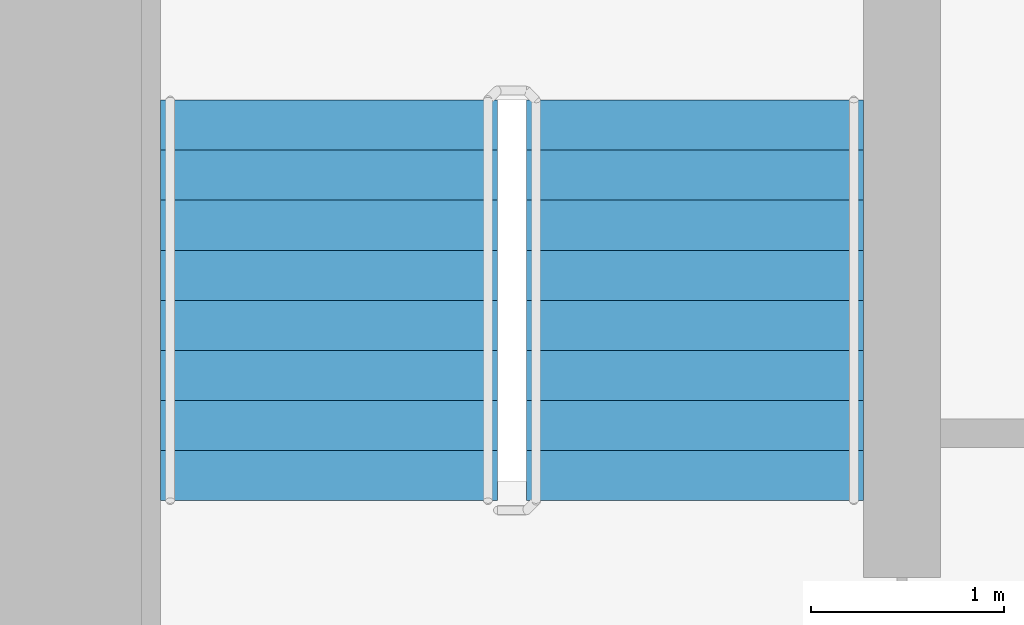
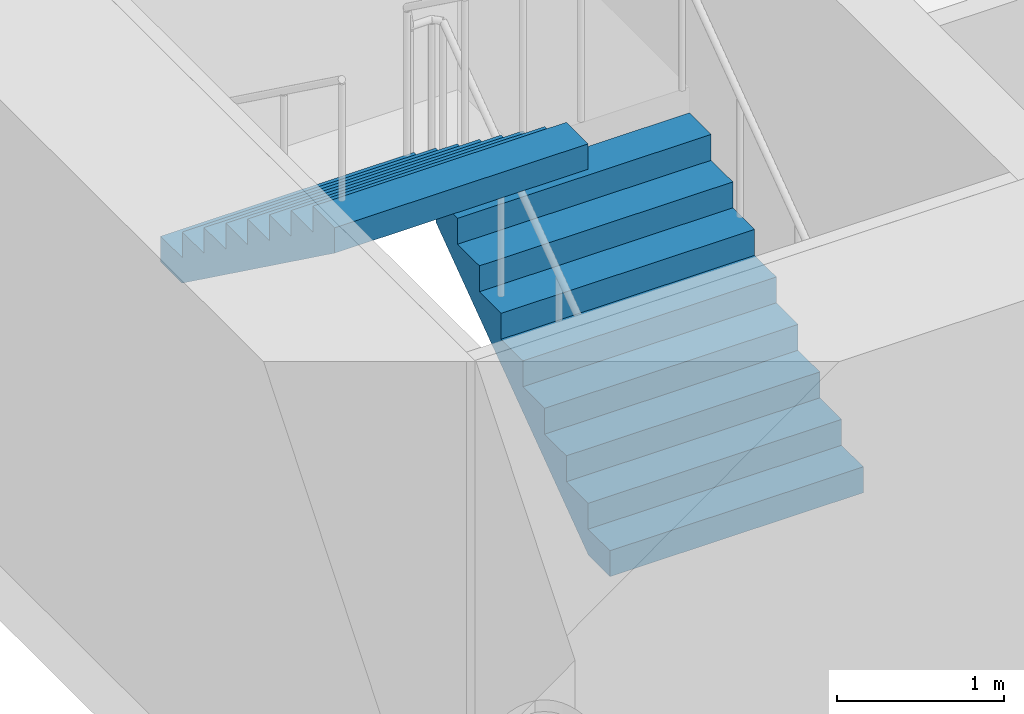
# One storey, part 20 of 22: 2 stair flights, 1 element without a shape of its own.
"""IFC4 building model written with IfcOpenShell, lengths in metres."""

import ifcopenshell
import ifcopenshell.guid

model = None  # the IFC model being written
_history = None  # IfcOwnerHistory: only IFC2X3 demands one
_inside = {}  # id of a spatial element -> (the spatial element, [elements in it])
_under = {}  # id of a project, library or spatial element -> (it, [spatial elements below it])
_declared = {}  # id of a project -> (the project, [libraries it declares])
_typed = {}  # id of a type object -> (the type object, [elements of that type])
_made_of = {}  # id of a material, layer set ... -> (it, [elements and type objects made of it])


def new_model(schema):
    """Start an empty IFC model of exactly this schema.

    Asked for "IFC4X3", IfcOpenShell would pick the latest addendum, in which some entities
    have other attributes; the version numbers below select the first issue.
    IFC2X3 requires an IfcOwnerHistory on every rooted entity: one is made here for all.
    """
    global model, _history
    if schema == "IFC4X3":
        model = ifcopenshell.file(schema_version=(4, 3, 0, 0))
    else:
        model = ifcopenshell.file(schema=schema)
    _inside.clear()
    _under.clear()
    _declared.clear()
    _typed.clear()
    _made_of.clear()
    _history = None
    if model.schema == "IFC2X3":
        org = make("IfcOrganization", Name="unknown")
        user = make(
            "IfcPersonAndOrganization",
            ThePerson=make("IfcPerson", FamilyName="unknown"),
            TheOrganization=org,
        )
        app = make(
            "IfcApplication",
            ApplicationDeveloper=org,
            Version="unknown",
            ApplicationFullName="unknown",
            ApplicationIdentifier="unknown",
        )
        _history = make(
            "IfcOwnerHistory",
            OwningUser=user,
            OwningApplication=app,
            ChangeAction="ADDED",
            CreationDate=0,
        )
    return model


def make(cls, **values):
    """One entity of the class cls with the attributes given. An attribute that is None is left unset."""
    return model.create_entity(
        cls, **{name: value for name, value in values.items() if value is not None}
    )


def rooted(cls, **values):
    """An entity with a GlobalId (a new one), such as an element, a storey or a relation."""
    return make(cls, GlobalId=ifcopenshell.guid.new(), OwnerHistory=_history, **values)


def si_unit(unit_type, name, prefix=None):
    """IfcSIUnit, for example si_unit("LENGTHUNIT", "METRE", prefix="MILLI")."""
    return make("IfcSIUnit", UnitType=unit_type, Prefix=prefix, Name=name)


def assignment(units):
    """IfcUnitAssignment: the units of a project."""
    return None if units is None else make("IfcUnitAssignment", Units=units)


def point(xyz):
    """IfcCartesianPoint."""
    return None if xyz is None else make("IfcCartesianPoint", Coordinates=xyz)


def direction(xyz):
    """IfcDirection."""
    return None if xyz is None else make("IfcDirection", DirectionRatios=xyz)


def frame(location, z_axis=None, x_axis=None):
    """IfcAxis2Placement3D, a coordinate frame: its origin and axes. An axis left out is left unset."""
    return make(
        "IfcAxis2Placement3D",
        Location=point(location),
        Axis=direction(z_axis),
        RefDirection=direction(x_axis),
    )


def origin():
    """The frame at (0, 0, 0) with its axes left unset."""
    return frame((0.0, 0.0, 0.0))


def place(relative_to, where):
    """IfcLocalPlacement: puts the frame where relative to a parent placement (None: the world)."""
    return make(
        "IfcLocalPlacement", PlacementRelTo=relative_to, RelativePlacement=where
    )


def context(
    kind, dimensions, precision=None, world=None, true_north=None, identifier=None
):
    """IfcGeometricRepresentationContext, for example the 3D "Model" context."""
    return make(
        "IfcGeometricRepresentationContext",
        ContextIdentifier=identifier,
        ContextType=kind,
        CoordinateSpaceDimension=dimensions,
        Precision=precision,
        WorldCoordinateSystem=world,
        TrueNorth=true_north,
    )


def subcontext(parent, identifier, kind, view, scale=None):
    """IfcGeometricRepresentationSubContext, for example "Body" below "Model"."""
    return make(
        "IfcGeometricRepresentationSubContext",
        ContextIdentifier=identifier,
        ContextType=kind,
        ParentContext=parent,
        TargetScale=scale,
        TargetView=view,
    )


def project(units=None, contexts=None):
    """IfcProject with its units and contexts."""
    return rooted(
        "IfcProject",
        Name="project",
        RepresentationContexts=contexts,
        UnitsInContext=assignment(units),
    )


def spatial(cls, under=None, at=None, **own):
    """A site, building, storey or space (cls), placed at a placement, below another one or the project."""
    s = rooted(cls, ObjectPlacement=at, **own)
    if under is not None:
        _under.setdefault(under.id(), (under, []))[1].append(s)
    return s


def faces_of(points, faces, orient=None, outer=None):
    """IfcFace entities. A face is a list of loops; a loop is a list of indices into points, from 0.

    orient and outer hold one flag for each loop. By default every Orientation is true, the
    first loop of a face is its IfcFaceOuterBound and the others are IfcFaceBound.
    """
    made = []
    for i, loops in enumerate(faces):
        bounds = []
        for j, loop in enumerate(loops):
            is_outer = j == 0 if outer is None else outer[i][j]
            bounds.append(
                make(
                    "IfcFaceOuterBound" if is_outer else "IfcFaceBound",
                    Bound=make("IfcPolyLoop", Polygon=[points[k] for k in loop]),
                    Orientation=True if orient is None else orient[i][j],
                )
            )
        made.append(make("IfcFace", Bounds=bounds))
    return made


def faceted_brep(points, faces, orient=None, outer=None, voids=None):
    """IfcFacetedBrep: a solid bounded by flat faces; with voids (closed shells), ...WithVoids."""
    shared = [point(p) for p in points]
    hull = make("IfcClosedShell", CfsFaces=faces_of(shared, faces, orient, outer))
    if voids is None:
        return make("IfcFacetedBrep", Outer=hull)
    return make(
        "IfcFacetedBrepWithVoids",
        Outer=hull,
        Voids=[
            make(cls, CfsFaces=faces_of(shared, fs, o, b)) for cls, fs, o, b in voids
        ],
    )


def shape(context_of_items, identifier, shape_type, items):
    """IfcShapeRepresentation: the items that make up one representation, for example the "Body"."""
    return make(
        "IfcShapeRepresentation",
        ContextOfItems=context_of_items,
        RepresentationIdentifier=identifier,
        RepresentationType=shape_type,
        Items=items,
    )


def material(Name=None, Category=None):
    """IfcMaterial."""
    return make("IfcMaterial", Name=Name, Category=Category)


def made_of(thing, what):
    """Note that an element or type object is made of a material, layer set ...; save() writes the relation."""
    if what is not None:
        _made_of.setdefault(what.id(), (what, []))[1].append(thing)
    return thing


def type_object(cls, material=None, **own):
    """A type object (cls), such as IfcWallType, which elements share."""
    return made_of(rooted(cls, **own), material)


def element(
    cls,
    number,
    at=None,
    inside=None,
    cuts=None,
    type_object=None,
    material=None,
    context=None,
    identifier="Body",
    shape_type=None,
    held_by="IfcProductDefinitionShape",
    body=None,
    shapes=None,
    **own,
):
    """One element of the class cls, such as IfcWall. Its Tag is "e" and its number.

    at: its placement. inside: the storey or other place that contains it. cuts: it is an
    opening in that element (IfcRelVoidsElement). A single representation is given by context,
    identifier, shape_type and body (its items); several are given by shapes. held_by: the class
    of the entity that holds the representations. save() writes the other relations.
    """
    e = rooted(cls, Tag="e%d" % number, ObjectPlacement=at, **own)
    if body is not None:
        shapes = [shape(context, identifier, shape_type, body)]
    if shapes is not None:
        e.Representation = make(held_by, Representations=shapes)
    if inside is not None:
        _inside.setdefault(inside.id(), (inside, []))[1].append(e)
    if cuts is not None:
        rooted(
            "IfcRelVoidsElement", RelatingBuildingElement=cuts, RelatedOpeningElement=e
        )
    if type_object is not None:
        _typed.setdefault(type_object.id(), (type_object, []))[1].append(e)
    return made_of(e, material)


def aggregate(whole, parts):
    """IfcRelAggregates: a whole, such as a stair, and the parts it consists of."""
    return rooted("IfcRelAggregates", RelatingObject=whole, RelatedObjects=parts)


def save(model, path):
    """Write the relations noted so far, then the file.

    IfcRelAggregates (storeys below a building ...), IfcRelContainedInSpatialStructure (elements
    in a storey), IfcRelDefinesByType, IfcRelAssociatesMaterial and IfcRelDeclares: one each for
    every whole, place, type object, material and project.
    """
    for whole, parts in _under.values():
        aggregate(whole, parts)
    for where, things in _inside.values():
        rooted(
            "IfcRelContainedInSpatialStructure",
            RelatedElements=things,
            RelatingStructure=where,
        )
    for kind, things in _typed.values():
        rooted("IfcRelDefinesByType", RelatedObjects=things, RelatingType=kind)
    for what, things in _made_of.values():
        rooted("IfcRelAssociatesMaterial", RelatedObjects=things, RelatingMaterial=what)
    for by, libraries in _declared.values():
        rooted("IfcRelDeclares", RelatingContext=by, RelatedDefinitions=libraries)
    model.write(path)


model = new_model("IFC4")

# Units and contexts
model_context = context("Model", 3, precision=1e-05, world=origin(), true_north=direction((0.0, 1.0)))
body_context = subcontext(model_context, "Body", "Model", "MODEL_VIEW")
ifc_project = project(units=[si_unit("LENGTHUNIT", "METRE"), si_unit("AREAUNIT", "SQUARE_METRE"), si_unit("VOLUMEUNIT", "CUBIC_METRE"), si_unit("PLANEANGLEUNIT", "RADIAN"), si_unit("MASSUNIT", "GRAM", prefix="KILO")], contexts=[model_context])

# Site, building, storey
site_placement = place(None, origin())
site = spatial("IfcSite", under=ifc_project, at=site_placement, CompositionType="ELEMENT")
building_placement = place(site_placement, origin())
building = spatial("IfcBuilding", under=site, at=building_placement, Name="Ipe Terrace Towers", CompositionType="ELEMENT")
storey_placement = place(building_placement, frame((0.0, 0.0, 68.699951171875)))
storey = spatial("IfcBuildingStorey", under=building, at=storey_placement, Name="L18", CompositionType="ELEMENT", Elevation=68.699951171875)

# Stair, stair flights
ifc_material_1 = material(Name="Concrete C30/37", Category="concrete")
stair_type = type_object("IfcStairType", Name="Protected exit stair", PredefinedType="HALF_TURN_STAIR", material=ifc_material_1)
stair_placement = place(storey_placement, origin())
stair = element("IfcStair", 1, at=stair_placement, inside=storey, type_object=stair_type, Name="L18 Exit stair T2-C1", PredefinedType="HALF_TURN_STAIR")
ifc_material_2 = material(Name="Concrete C30/37", Category="concrete")
stair_flight_type = type_object("IfcStairFlightType", Name="Exit stair flight 1750", PredefinedType="STRAIGHT", material=ifc_material_2)
stair_flight_1_placement = place(storey_placement, frame((33.22509765625, 9.699951171875, 0.0), z_axis=(0.0, 0.0, 1.0), x_axis=(0.0, 1.0, 0.0)))
stair_flight_1 = element("IfcStairFlight", 2, at=stair_flight_1_placement, type_object=stair_flight_type, Name="T2-ST1 flight 1", NumberOfRisers=9, NumberOfTreads=8, PredefinedType="STRAIGHT", RiserHeight=0.188888889, TreadLength=0.26, context=body_context, shape_type="Brep", body=[
    faceted_brep([(0.255126953125, -0.875, 0.0), (2.080078125, -0.875, 1.325927734375), (2.080078125, -0.875, 1.51123046875), (1.820068359375, -0.875, 1.51123046875), (1.820068359375, -0.875, 1.322265625), (1.56005859375, -0.875, 1.322265625), (1.56005859375, -0.875, 1.13330078125), (1.300048828125, -0.875, 1.13330078125), (1.300048828125, -0.875, 0.9443359375), (1.0400390625, -0.875, 0.9443359375), (1.0400390625, -0.875, 0.755615234375), (0.780029296875, -0.875, 0.755615234375), (0.780029296875, -0.875, 0.566650390625), (0.52001953125, -0.875, 0.566650390625), (0.52001953125, -0.875, 0.377685546875), (0.260009765625, -0.875, 0.377685546875), (0.260009765625, -0.875, 0.18896484375), (0.0, -0.875, 0.18896484375), (0.0, -0.875, 0.0), (0.0, 0.875, 0.0), (0.0, 0.875, 0.18896484375), (0.260009765625, 0.875, 0.18896484375), (0.260009765625, 0.875, 0.377685546875), (0.52001953125, 0.875, 0.377685546875), (0.52001953125, 0.875, 0.566650390625), (0.780029296875, 0.875, 0.566650390625), (0.780029296875, 0.875, 0.755615234375), (1.0400390625, 0.875, 0.755615234375), (1.0400390625, 0.875, 0.9443359375), (1.300048828125, 0.875, 0.9443359375), (1.300048828125, 0.875, 1.13330078125), (1.56005859375, 0.875, 1.13330078125), (1.56005859375, 0.875, 1.322265625), (1.820068359375, 0.875, 1.322265625), (1.820068359375, 0.875, 1.51123046875), (2.080078125, 0.875, 1.51123046875), (2.080078125, 0.875, 1.325927734375), (0.255126953125, 0.875, 0.0), (0.0, -0.300048828125, 0.18896484375), (0.0, -0.1201171875, 0.18896484375), (0.0, -0.06005859375, 0.18896484375), (0.0, -0.030029296875, 0.18896484375), (0.0, -0.010009765625, 0.18896484375), (0.0, 0.0, 0.18896484375), (0.0, 0.010009765625, 0.18896484375), (0.0, 0.030029296875, 0.18896484375), (0.0, 0.06005859375, 0.18896484375), (0.0, 0.1201171875, 0.18896484375), (0.0, 0.300048828125, 0.18896484375), (0.0, 0.300048828125, 0.0), (0.0, 0.1201171875, 0.0), (0.0, 0.06005859375, 0.0), (0.0, 0.030029296875, 0.0), (0.0, 0.010009765625, 0.0), (0.0, 0.0, 0.0), (0.0, -0.010009765625, 0.0), (0.0, -0.030029296875, 0.0), (0.0, -0.06005859375, 0.0), (0.0, -0.1201171875, 0.0), (0.0, -0.300048828125, 0.0), (0.260009765625, -0.300048828125, 0.18896484375), (0.260009765625, -0.1201171875, 0.18896484375), (0.260009765625, -0.06005859375, 0.18896484375), (0.260009765625, -0.030029296875, 0.18896484375), (0.260009765625, -0.010009765625, 0.18896484375), (0.260009765625, 0.0, 0.18896484375), (0.260009765625, 0.010009765625, 0.18896484375), (0.260009765625, 0.030029296875, 0.18896484375), (0.260009765625, 0.06005859375, 0.18896484375), (0.260009765625, 0.1201171875, 0.18896484375), (0.260009765625, 0.300048828125, 0.18896484375), (0.260009765625, -0.300048828125, 0.377685546875), (0.260009765625, -0.1201171875, 0.377685546875), (0.260009765625, -0.06005859375, 0.377685546875), (0.260009765625, -0.030029296875, 0.377685546875), (0.260009765625, -0.010009765625, 0.377685546875), (0.260009765625, 0.0, 0.377685546875), (0.260009765625, 0.010009765625, 0.377685546875), (0.260009765625, 0.030029296875, 0.377685546875), (0.260009765625, 0.06005859375, 0.377685546875), (0.260009765625, 0.1201171875, 0.377685546875), (0.260009765625, 0.300048828125, 0.377685546875), (0.52001953125, -0.300048828125, 0.377685546875), (0.52001953125, -0.1201171875, 0.377685546875), (0.52001953125, -0.06005859375, 0.377685546875), (0.52001953125, -0.030029296875, 0.377685546875), (0.52001953125, -0.010009765625, 0.377685546875), (0.52001953125, 0.0, 0.377685546875), (0.52001953125, 0.010009765625, 0.377685546875), (0.52001953125, 0.030029296875, 0.377685546875), (0.52001953125, 0.06005859375, 0.377685546875), (0.52001953125, 0.1201171875, 0.377685546875), (0.52001953125, 0.300048828125, 0.377685546875), (0.52001953125, -0.300048828125, 0.566650390625), (0.52001953125, -0.1201171875, 0.566650390625), (0.52001953125, -0.06005859375, 0.566650390625), (0.52001953125, -0.030029296875, 0.566650390625), (0.52001953125, -0.010009765625, 0.566650390625), (0.52001953125, 0.0, 0.566650390625), (0.52001953125, 0.010009765625, 0.566650390625), (0.52001953125, 0.030029296875, 0.566650390625), (0.52001953125, 0.06005859375, 0.566650390625), (0.52001953125, 0.1201171875, 0.566650390625), (0.52001953125, 0.300048828125, 0.566650390625), (0.780029296875, -0.300048828125, 0.566650390625), (0.780029296875, -0.1201171875, 0.566650390625), (0.780029296875, -0.06005859375, 0.566650390625), (0.780029296875, -0.030029296875, 0.566650390625), (0.780029296875, -0.010009765625, 0.566650390625), (0.780029296875, 0.0, 0.566650390625), (0.780029296875, 0.010009765625, 0.566650390625), (0.780029296875, 0.030029296875, 0.566650390625), (0.780029296875, 0.06005859375, 0.566650390625), (0.780029296875, 0.1201171875, 0.566650390625), (0.780029296875, 0.300048828125, 0.566650390625), (0.780029296875, -0.300048828125, 0.755615234375), (0.780029296875, -0.1201171875, 0.755615234375), (0.780029296875, -0.06005859375, 0.755615234375), (0.780029296875, -0.030029296875, 0.755615234375), (0.780029296875, -0.010009765625, 0.755615234375), (0.780029296875, 0.0, 0.755615234375), (0.780029296875, 0.010009765625, 0.755615234375), (0.780029296875, 0.030029296875, 0.755615234375), (0.780029296875, 0.06005859375, 0.755615234375), (0.780029296875, 0.1201171875, 0.755615234375), (0.780029296875, 0.300048828125, 0.755615234375), (1.0400390625, -0.300048828125, 0.755615234375), (1.0400390625, -0.1201171875, 0.755615234375), (1.0400390625, -0.06005859375, 0.755615234375), (1.0400390625, -0.030029296875, 0.755615234375), (1.0400390625, -0.010009765625, 0.755615234375), (1.0400390625, 0.0, 0.755615234375), (1.0400390625, 0.010009765625, 0.755615234375), (1.0400390625, 0.030029296875, 0.755615234375), (1.0400390625, 0.06005859375, 0.755615234375), (1.0400390625, 0.1201171875, 0.755615234375), (1.0400390625, 0.300048828125, 0.755615234375), (1.0400390625, -0.300048828125, 0.9443359375), (1.0400390625, -0.1201171875, 0.9443359375), (1.0400390625, -0.06005859375, 0.9443359375), (1.0400390625, -0.030029296875, 0.9443359375), (1.0400390625, -0.010009765625, 0.9443359375), (1.0400390625, 0.0, 0.9443359375), (1.0400390625, 0.010009765625, 0.9443359375), (1.0400390625, 0.030029296875, 0.9443359375), (1.0400390625, 0.06005859375, 0.9443359375), (1.0400390625, 0.1201171875, 0.9443359375), (1.0400390625, 0.300048828125, 0.9443359375), (1.300048828125, -0.300048828125, 0.9443359375), (1.300048828125, -0.1201171875, 0.9443359375), (1.300048828125, -0.06005859375, 0.9443359375), (1.300048828125, -0.030029296875, 0.9443359375), (1.300048828125, -0.010009765625, 0.9443359375), (1.300048828125, 0.0, 0.9443359375), (1.300048828125, 0.010009765625, 0.9443359375), (1.300048828125, 0.030029296875, 0.9443359375), (1.300048828125, 0.06005859375, 0.9443359375), (1.300048828125, 0.1201171875, 0.9443359375), (1.300048828125, 0.300048828125, 0.9443359375), (1.300048828125, -0.300048828125, 1.13330078125), (1.300048828125, -0.1201171875, 1.13330078125), (1.300048828125, -0.06005859375, 1.13330078125), (1.300048828125, -0.030029296875, 1.13330078125), (1.300048828125, -0.010009765625, 1.13330078125), (1.300048828125, 0.0, 1.13330078125), (1.300048828125, 0.010009765625, 1.13330078125), (1.300048828125, 0.030029296875, 1.13330078125), (1.300048828125, 0.06005859375, 1.13330078125), (1.300048828125, 0.1201171875, 1.13330078125), (1.300048828125, 0.300048828125, 1.13330078125), (1.56005859375, -0.300048828125, 1.13330078125), (1.56005859375, -0.1201171875, 1.13330078125), (1.56005859375, -0.06005859375, 1.13330078125), (1.56005859375, -0.030029296875, 1.13330078125), (1.56005859375, -0.010009765625, 1.13330078125), (1.56005859375, 0.0, 1.13330078125), (1.56005859375, 0.010009765625, 1.13330078125), (1.56005859375, 0.030029296875, 1.13330078125), (1.56005859375, 0.06005859375, 1.13330078125), (1.56005859375, 0.1201171875, 1.13330078125), (1.56005859375, 0.300048828125, 1.13330078125), (1.56005859375, -0.300048828125, 1.322265625), (1.56005859375, -0.1201171875, 1.322265625), (1.56005859375, -0.06005859375, 1.322265625), (1.56005859375, -0.030029296875, 1.322265625), (1.56005859375, -0.010009765625, 1.322265625), (1.56005859375, 0.0, 1.322265625), (1.56005859375, 0.010009765625, 1.322265625), (1.56005859375, 0.030029296875, 1.322265625), (1.56005859375, 0.06005859375, 1.322265625), (1.56005859375, 0.1201171875, 1.322265625), (1.56005859375, 0.300048828125, 1.322265625), (1.820068359375, -0.300048828125, 1.322265625), (1.820068359375, -0.1201171875, 1.322265625), (1.820068359375, -0.06005859375, 1.322265625), (1.820068359375, -0.030029296875, 1.322265625), (1.820068359375, -0.010009765625, 1.322265625), (1.820068359375, 0.0, 1.322265625), (1.820068359375, 0.010009765625, 1.322265625), (1.820068359375, 0.030029296875, 1.322265625), (1.820068359375, 0.06005859375, 1.322265625), (1.820068359375, 0.1201171875, 1.322265625), (1.820068359375, 0.300048828125, 1.322265625), (1.820068359375, -0.300048828125, 1.51123046875), (1.820068359375, -0.1201171875, 1.51123046875), (1.820068359375, -0.06005859375, 1.51123046875), (1.820068359375, -0.030029296875, 1.51123046875), (1.820068359375, -0.010009765625, 1.51123046875), (1.820068359375, 0.0, 1.51123046875), (1.820068359375, 0.010009765625, 1.51123046875), (1.820068359375, 0.030029296875, 1.51123046875), (1.820068359375, 0.06005859375, 1.51123046875), (1.820068359375, 0.1201171875, 1.51123046875), (1.820068359375, 0.300048828125, 1.51123046875), (2.080078125, -0.300048828125, 1.51123046875), (2.080078125, -0.1201171875, 1.51123046875), (2.080078125, -0.06005859375, 1.51123046875), (2.080078125, -0.030029296875, 1.51123046875), (2.080078125, -0.010009765625, 1.51123046875), (2.080078125, 0.0, 1.51123046875), (2.080078125, 0.010009765625, 1.51123046875), (2.080078125, 0.030029296875, 1.51123046875), (2.080078125, 0.06005859375, 1.51123046875), (2.080078125, 0.1201171875, 1.51123046875), (2.080078125, 0.300048828125, 1.51123046875), (2.080078125, -0.300048828125, 1.325927734375), (2.080078125, -0.1201171875, 1.325927734375), (2.080078125, -0.06005859375, 1.325927734375), (2.080078125, -0.030029296875, 1.325927734375), (2.080078125, -0.010009765625, 1.325927734375), (2.080078125, 0.0, 1.325927734375), (2.080078125, 0.010009765625, 1.325927734375), (2.080078125, 0.030029296875, 1.325927734375), (2.080078125, 0.06005859375, 1.325927734375), (2.080078125, 0.1201171875, 1.325927734375), (2.080078125, 0.300048828125, 1.325927734375), (0.255126953125, -0.300048828125, 0.0), (0.255126953125, -0.1201171875, 0.0), (0.255126953125, -0.06005859375, 0.0), (0.255126953125, -0.030029296875, 0.0), (0.255126953125, -0.010009765625, 0.0), (0.255126953125, 0.0, 0.0), (0.255126953125, 0.010009765625, 0.0), (0.255126953125, 0.030029296875, 0.0), (0.255126953125, 0.06005859375, 0.0), (0.255126953125, 0.1201171875, 0.0), (0.255126953125, 0.300048828125, 0.0)], [[[0, 1, 2, 3, 4, 5, 6, 7, 8, 9, 10, 11, 12, 13, 14, 15, 16, 17, 18]], [[19, 20, 21, 22, 23, 24, 25, 26, 27, 28, 29, 30, 31, 32, 33, 34, 35, 36, 37]], [[17, 38, 39, 40, 41, 42, 43, 44, 45, 46, 47, 48, 20, 19, 49, 50, 51, 52, 53, 54, 55, 56, 57, 58, 59, 18]], [[16, 60, 61, 62, 63, 64, 65, 66, 67, 68, 69, 70, 21, 20, 48, 47, 46, 45, 44, 43, 42, 41, 40, 39, 38, 17]], [[15, 71, 72, 73, 74, 75, 76, 77, 78, 79, 80, 81, 22, 21, 70, 69, 68, 67, 66, 65, 64, 63, 62, 61, 60, 16]], [[14, 82, 83, 84, 85, 86, 87, 88, 89, 90, 91, 92, 23, 22, 81, 80, 79, 78, 77, 76, 75, 74, 73, 72, 71, 15]], [[13, 93, 94, 95, 96, 97, 98, 99, 100, 101, 102, 103, 24, 23, 92, 91, 90, 89, 88, 87, 86, 85, 84, 83, 82, 14]], [[12, 104, 105, 106, 107, 108, 109, 110, 111, 112, 113, 114, 25, 24, 103, 102, 101, 100, 99, 98, 97, 96, 95, 94, 93, 13]], [[11, 115, 116, 117, 118, 119, 120, 121, 122, 123, 124, 125, 26, 25, 114, 113, 112, 111, 110, 109, 108, 107, 106, 105, 104, 12]], [[10, 126, 127, 128, 129, 130, 131, 132, 133, 134, 135, 136, 27, 26, 125, 124, 123, 122, 121, 120, 119, 118, 117, 116, 115, 11]], [[9, 137, 138, 139, 140, 141, 142, 143, 144, 145, 146, 147, 28, 27, 136, 135, 134, 133, 132, 131, 130, 129, 128, 127, 126, 10]], [[8, 148, 149, 150, 151, 152, 153, 154, 155, 156, 157, 158, 29, 28, 147, 146, 145, 144, 143, 142, 141, 140, 139, 138, 137, 9]], [[7, 159, 160, 161, 162, 163, 164, 165, 166, 167, 168, 169, 30, 29, 158, 157, 156, 155, 154, 153, 152, 151, 150, 149, 148, 8]], [[6, 170, 171, 172, 173, 174, 175, 176, 177, 178, 179, 180, 31, 30, 169, 168, 167, 166, 165, 164, 163, 162, 161, 160, 159, 7]], [[5, 181, 182, 183, 184, 185, 186, 187, 188, 189, 190, 191, 32, 31, 180, 179, 178, 177, 176, 175, 174, 173, 172, 171, 170, 6]], [[4, 192, 193, 194, 195, 196, 197, 198, 199, 200, 201, 202, 33, 32, 191, 190, 189, 188, 187, 186, 185, 184, 183, 182, 181, 5]], [[3, 203, 204, 205, 206, 207, 208, 209, 210, 211, 212, 213, 34, 33, 202, 201, 200, 199, 198, 197, 196, 195, 194, 193, 192, 4]], [[2, 214, 215, 216, 217, 218, 219, 220, 221, 222, 223, 224, 35, 34, 213, 212, 211, 210, 209, 208, 207, 206, 205, 204, 203, 3]], [[1, 225, 226, 227, 228, 229, 230, 231, 232, 233, 234, 235, 36, 35, 224, 223, 222, 221, 220, 219, 218, 217, 216, 215, 214, 2]], [[0, 236, 237, 238, 239, 240, 241, 242, 243, 244, 245, 246, 37, 36, 235, 234, 233, 232, 231, 230, 229, 228, 227, 226, 225, 1]], [[18, 59, 58, 57, 56, 55, 54, 53, 52, 51, 50, 49, 19, 37, 246, 245, 244, 243, 242, 241, 240, 239, 238, 237, 236, 0]]]),
])
stair_flight_2_placement = place(storey_placement, frame((31.324951171875, 11.780029296875, 1.699951171875), z_axis=(0.0, 0.0, 1.0), x_axis=(0.0, -1.0, 0.0)))
stair_flight_2 = element("IfcStairFlight", 3, at=stair_flight_2_placement, type_object=stair_flight_type, Name="T2-ST1 flight 2", NumberOfRisers=9, NumberOfTreads=8, PredefinedType="STRAIGHT", RiserHeight=0.188888889, TreadLength=0.26, context=body_context, shape_type="Brep", body=[
    faceted_brep([(0.255126953125, -0.875, 0.0), (2.080078125, -0.875, 1.325927734375), (2.080078125, -0.875, 1.51123046875), (1.820068359375, -0.875, 1.51123046875), (1.820068359375, -0.875, 1.322265625), (1.56005859375, -0.875, 1.322265625), (1.56005859375, -0.875, 1.13330078125), (1.300048828125, -0.875, 1.13330078125), (1.300048828125, -0.875, 0.9443359375), (1.0400390625, -0.875, 0.9443359375), (1.0400390625, -0.875, 0.755615234375), (0.780029296875, -0.875, 0.755615234375), (0.780029296875, -0.875, 0.566650390625), (0.52001953125, -0.875, 0.566650390625), (0.52001953125, -0.875, 0.377685546875), (0.260009765625, -0.875, 0.377685546875), (0.260009765625, -0.875, 0.18896484375), (0.0, -0.875, 0.18896484375), (0.0, -0.875, 0.0), (0.0, 0.875, 0.0), (0.0, 0.875, 0.18896484375), (0.260009765625, 0.875, 0.18896484375), (0.260009765625, 0.875, 0.377685546875), (0.52001953125, 0.875, 0.377685546875), (0.52001953125, 0.875, 0.566650390625), (0.780029296875, 0.875, 0.566650390625), (0.780029296875, 0.875, 0.755615234375), (1.0400390625, 0.875, 0.755615234375), (1.0400390625, 0.875, 0.9443359375), (1.300048828125, 0.875, 0.9443359375), (1.300048828125, 0.875, 1.13330078125), (1.56005859375, 0.875, 1.13330078125), (1.56005859375, 0.875, 1.322265625), (1.820068359375, 0.875, 1.322265625), (1.820068359375, 0.875, 1.51123046875), (2.080078125, 0.875, 1.51123046875), (2.080078125, 0.875, 1.325927734375), (0.255126953125, 0.875, 0.0), (0.0, -0.300048828125, 0.18896484375), (0.0, -0.1201171875, 0.18896484375), (0.0, -0.06005859375, 0.18896484375), (0.0, -0.030029296875, 0.18896484375), (0.0, -0.010009765625, 0.18896484375), (0.0, 0.0, 0.18896484375), (0.0, 0.010009765625, 0.18896484375), (0.0, 0.030029296875, 0.18896484375), (0.0, 0.06005859375, 0.18896484375), (0.0, 0.1201171875, 0.18896484375), (0.0, 0.300048828125, 0.18896484375), (0.0, 0.300048828125, 0.0), (0.0, 0.1201171875, 0.0), (0.0, 0.06005859375, 0.0), (0.0, 0.030029296875, 0.0), (0.0, 0.010009765625, 0.0), (0.0, 0.0, 0.0), (0.0, -0.010009765625, 0.0), (0.0, -0.030029296875, 0.0), (0.0, -0.06005859375, 0.0), (0.0, -0.1201171875, 0.0), (0.0, -0.300048828125, 0.0), (0.260009765625, -0.300048828125, 0.18896484375), (0.260009765625, -0.1201171875, 0.18896484375), (0.260009765625, -0.06005859375, 0.18896484375), (0.260009765625, -0.030029296875, 0.18896484375), (0.260009765625, -0.010009765625, 0.18896484375), (0.260009765625, 0.0, 0.18896484375), (0.260009765625, 0.010009765625, 0.18896484375), (0.260009765625, 0.030029296875, 0.18896484375), (0.260009765625, 0.06005859375, 0.18896484375), (0.260009765625, 0.1201171875, 0.18896484375), (0.260009765625, 0.300048828125, 0.18896484375), (0.260009765625, -0.300048828125, 0.377685546875), (0.260009765625, -0.1201171875, 0.377685546875), (0.260009765625, -0.06005859375, 0.377685546875), (0.260009765625, -0.030029296875, 0.377685546875), (0.260009765625, -0.010009765625, 0.377685546875), (0.260009765625, 0.0, 0.377685546875), (0.260009765625, 0.010009765625, 0.377685546875), (0.260009765625, 0.030029296875, 0.377685546875), (0.260009765625, 0.06005859375, 0.377685546875), (0.260009765625, 0.1201171875, 0.377685546875), (0.260009765625, 0.300048828125, 0.377685546875), (0.52001953125, -0.300048828125, 0.377685546875), (0.52001953125, -0.1201171875, 0.377685546875), (0.52001953125, -0.06005859375, 0.377685546875), (0.52001953125, -0.030029296875, 0.377685546875), (0.52001953125, -0.010009765625, 0.377685546875), (0.52001953125, 0.0, 0.377685546875), (0.52001953125, 0.010009765625, 0.377685546875), (0.52001953125, 0.030029296875, 0.377685546875), (0.52001953125, 0.06005859375, 0.377685546875), (0.52001953125, 0.1201171875, 0.377685546875), (0.52001953125, 0.300048828125, 0.377685546875), (0.52001953125, -0.300048828125, 0.566650390625), (0.52001953125, -0.1201171875, 0.566650390625), (0.52001953125, -0.06005859375, 0.566650390625), (0.52001953125, -0.030029296875, 0.566650390625), (0.52001953125, -0.010009765625, 0.566650390625), (0.52001953125, 0.0, 0.566650390625), (0.52001953125, 0.010009765625, 0.566650390625), (0.52001953125, 0.030029296875, 0.566650390625), (0.52001953125, 0.06005859375, 0.566650390625), (0.52001953125, 0.1201171875, 0.566650390625), (0.52001953125, 0.300048828125, 0.566650390625), (0.780029296875, -0.300048828125, 0.566650390625), (0.780029296875, -0.1201171875, 0.566650390625), (0.780029296875, -0.06005859375, 0.566650390625), (0.780029296875, -0.030029296875, 0.566650390625), (0.780029296875, -0.010009765625, 0.566650390625), (0.780029296875, 0.0, 0.566650390625), (0.780029296875, 0.010009765625, 0.566650390625), (0.780029296875, 0.030029296875, 0.566650390625), (0.780029296875, 0.06005859375, 0.566650390625), (0.780029296875, 0.1201171875, 0.566650390625), (0.780029296875, 0.300048828125, 0.566650390625), (0.780029296875, -0.300048828125, 0.755615234375), (0.780029296875, -0.1201171875, 0.755615234375), (0.780029296875, -0.06005859375, 0.755615234375), (0.780029296875, -0.030029296875, 0.755615234375), (0.780029296875, -0.010009765625, 0.755615234375), (0.780029296875, 0.0, 0.755615234375), (0.780029296875, 0.010009765625, 0.755615234375), (0.780029296875, 0.030029296875, 0.755615234375), (0.780029296875, 0.06005859375, 0.755615234375), (0.780029296875, 0.1201171875, 0.755615234375), (0.780029296875, 0.300048828125, 0.755615234375), (1.0400390625, -0.300048828125, 0.755615234375), (1.0400390625, -0.1201171875, 0.755615234375), (1.0400390625, -0.06005859375, 0.755615234375), (1.0400390625, -0.030029296875, 0.755615234375), (1.0400390625, -0.010009765625, 0.755615234375), (1.0400390625, 0.0, 0.755615234375), (1.0400390625, 0.010009765625, 0.755615234375), (1.0400390625, 0.030029296875, 0.755615234375), (1.0400390625, 0.06005859375, 0.755615234375), (1.0400390625, 0.1201171875, 0.755615234375), (1.0400390625, 0.300048828125, 0.755615234375), (1.0400390625, -0.300048828125, 0.9443359375), (1.0400390625, -0.1201171875, 0.9443359375), (1.0400390625, -0.06005859375, 0.9443359375), (1.0400390625, -0.030029296875, 0.9443359375), (1.0400390625, -0.010009765625, 0.9443359375), (1.0400390625, 0.0, 0.9443359375), (1.0400390625, 0.010009765625, 0.9443359375), (1.0400390625, 0.030029296875, 0.9443359375), (1.0400390625, 0.06005859375, 0.9443359375), (1.0400390625, 0.1201171875, 0.9443359375), (1.0400390625, 0.300048828125, 0.9443359375), (1.300048828125, -0.300048828125, 0.9443359375), (1.300048828125, -0.1201171875, 0.9443359375), (1.300048828125, -0.06005859375, 0.9443359375), (1.300048828125, -0.030029296875, 0.9443359375), (1.300048828125, -0.010009765625, 0.9443359375), (1.300048828125, 0.0, 0.9443359375), (1.300048828125, 0.010009765625, 0.9443359375), (1.300048828125, 0.030029296875, 0.9443359375), (1.300048828125, 0.06005859375, 0.9443359375), (1.300048828125, 0.1201171875, 0.9443359375), (1.300048828125, 0.300048828125, 0.9443359375), (1.300048828125, -0.300048828125, 1.13330078125), (1.300048828125, -0.1201171875, 1.13330078125), (1.300048828125, -0.06005859375, 1.13330078125), (1.300048828125, -0.030029296875, 1.13330078125), (1.300048828125, -0.010009765625, 1.13330078125), (1.300048828125, 0.0, 1.13330078125), (1.300048828125, 0.010009765625, 1.13330078125), (1.300048828125, 0.030029296875, 1.13330078125), (1.300048828125, 0.06005859375, 1.13330078125), (1.300048828125, 0.1201171875, 1.13330078125), (1.300048828125, 0.300048828125, 1.13330078125), (1.56005859375, -0.300048828125, 1.13330078125), (1.56005859375, -0.1201171875, 1.13330078125), (1.56005859375, -0.06005859375, 1.13330078125), (1.56005859375, -0.030029296875, 1.13330078125), (1.56005859375, -0.010009765625, 1.13330078125), (1.56005859375, 0.0, 1.13330078125), (1.56005859375, 0.010009765625, 1.13330078125), (1.56005859375, 0.030029296875, 1.13330078125), (1.56005859375, 0.06005859375, 1.13330078125), (1.56005859375, 0.1201171875, 1.13330078125), (1.56005859375, 0.300048828125, 1.13330078125), (1.56005859375, -0.300048828125, 1.322265625), (1.56005859375, -0.1201171875, 1.322265625), (1.56005859375, -0.06005859375, 1.322265625), (1.56005859375, -0.030029296875, 1.322265625), (1.56005859375, -0.010009765625, 1.322265625), (1.56005859375, 0.0, 1.322265625), (1.56005859375, 0.010009765625, 1.322265625), (1.56005859375, 0.030029296875, 1.322265625), (1.56005859375, 0.06005859375, 1.322265625), (1.56005859375, 0.1201171875, 1.322265625), (1.56005859375, 0.300048828125, 1.322265625), (1.820068359375, -0.300048828125, 1.322265625), (1.820068359375, -0.1201171875, 1.322265625), (1.820068359375, -0.06005859375, 1.322265625), (1.820068359375, -0.030029296875, 1.322265625), (1.820068359375, -0.010009765625, 1.322265625), (1.820068359375, 0.0, 1.322265625), (1.820068359375, 0.010009765625, 1.322265625), (1.820068359375, 0.030029296875, 1.322265625), (1.820068359375, 0.06005859375, 1.322265625), (1.820068359375, 0.1201171875, 1.322265625), (1.820068359375, 0.300048828125, 1.322265625), (1.820068359375, -0.300048828125, 1.51123046875), (1.820068359375, -0.1201171875, 1.51123046875), (1.820068359375, -0.06005859375, 1.51123046875), (1.820068359375, -0.030029296875, 1.51123046875), (1.820068359375, -0.010009765625, 1.51123046875), (1.820068359375, 0.0, 1.51123046875), (1.820068359375, 0.010009765625, 1.51123046875), (1.820068359375, 0.030029296875, 1.51123046875), (1.820068359375, 0.06005859375, 1.51123046875), (1.820068359375, 0.1201171875, 1.51123046875), (1.820068359375, 0.300048828125, 1.51123046875), (2.080078125, -0.300048828125, 1.51123046875), (2.080078125, -0.1201171875, 1.51123046875), (2.080078125, -0.06005859375, 1.51123046875), (2.080078125, -0.030029296875, 1.51123046875), (2.080078125, -0.010009765625, 1.51123046875), (2.080078125, 0.0, 1.51123046875), (2.080078125, 0.010009765625, 1.51123046875), (2.080078125, 0.030029296875, 1.51123046875), (2.080078125, 0.06005859375, 1.51123046875), (2.080078125, 0.1201171875, 1.51123046875), (2.080078125, 0.300048828125, 1.51123046875), (2.080078125, -0.300048828125, 1.325927734375), (2.080078125, -0.1201171875, 1.325927734375), (2.080078125, -0.06005859375, 1.325927734375), (2.080078125, -0.030029296875, 1.325927734375), (2.080078125, -0.010009765625, 1.325927734375), (2.080078125, 0.0, 1.325927734375), (2.080078125, 0.010009765625, 1.325927734375), (2.080078125, 0.030029296875, 1.325927734375), (2.080078125, 0.06005859375, 1.325927734375), (2.080078125, 0.1201171875, 1.325927734375), (2.080078125, 0.300048828125, 1.325927734375), (0.255126953125, -0.300048828125, 0.0), (0.255126953125, -0.1201171875, 0.0), (0.255126953125, -0.06005859375, 0.0), (0.255126953125, -0.030029296875, 0.0), (0.255126953125, -0.010009765625, 0.0), (0.255126953125, 0.0, 0.0), (0.255126953125, 0.010009765625, 0.0), (0.255126953125, 0.030029296875, 0.0), (0.255126953125, 0.06005859375, 0.0), (0.255126953125, 0.1201171875, 0.0), (0.255126953125, 0.300048828125, 0.0)], [[[0, 1, 2, 3, 4, 5, 6, 7, 8, 9, 10, 11, 12, 13, 14, 15, 16, 17, 18]], [[19, 20, 21, 22, 23, 24, 25, 26, 27, 28, 29, 30, 31, 32, 33, 34, 35, 36, 37]], [[17, 38, 39, 40, 41, 42, 43, 44, 45, 46, 47, 48, 20, 19, 49, 50, 51, 52, 53, 54, 55, 56, 57, 58, 59, 18]], [[16, 60, 61, 62, 63, 64, 65, 66, 67, 68, 69, 70, 21, 20, 48, 47, 46, 45, 44, 43, 42, 41, 40, 39, 38, 17]], [[15, 71, 72, 73, 74, 75, 76, 77, 78, 79, 80, 81, 22, 21, 70, 69, 68, 67, 66, 65, 64, 63, 62, 61, 60, 16]], [[14, 82, 83, 84, 85, 86, 87, 88, 89, 90, 91, 92, 23, 22, 81, 80, 79, 78, 77, 76, 75, 74, 73, 72, 71, 15]], [[13, 93, 94, 95, 96, 97, 98, 99, 100, 101, 102, 103, 24, 23, 92, 91, 90, 89, 88, 87, 86, 85, 84, 83, 82, 14]], [[12, 104, 105, 106, 107, 108, 109, 110, 111, 112, 113, 114, 25, 24, 103, 102, 101, 100, 99, 98, 97, 96, 95, 94, 93, 13]], [[11, 115, 116, 117, 118, 119, 120, 121, 122, 123, 124, 125, 26, 25, 114, 113, 112, 111, 110, 109, 108, 107, 106, 105, 104, 12]], [[10, 126, 127, 128, 129, 130, 131, 132, 133, 134, 135, 136, 27, 26, 125, 124, 123, 122, 121, 120, 119, 118, 117, 116, 115, 11]], [[9, 137, 138, 139, 140, 141, 142, 143, 144, 145, 146, 147, 28, 27, 136, 135, 134, 133, 132, 131, 130, 129, 128, 127, 126, 10]], [[8, 148, 149, 150, 151, 152, 153, 154, 155, 156, 157, 158, 29, 28, 147, 146, 145, 144, 143, 142, 141, 140, 139, 138, 137, 9]], [[7, 159, 160, 161, 162, 163, 164, 165, 166, 167, 168, 169, 30, 29, 158, 157, 156, 155, 154, 153, 152, 151, 150, 149, 148, 8]], [[6, 170, 171, 172, 173, 174, 175, 176, 177, 178, 179, 180, 31, 30, 169, 168, 167, 166, 165, 164, 163, 162, 161, 160, 159, 7]], [[5, 181, 182, 183, 184, 185, 186, 187, 188, 189, 190, 191, 32, 31, 180, 179, 178, 177, 176, 175, 174, 173, 172, 171, 170, 6]], [[4, 192, 193, 194, 195, 196, 197, 198, 199, 200, 201, 202, 33, 32, 191, 190, 189, 188, 187, 186, 185, 184, 183, 182, 181, 5]], [[3, 203, 204, 205, 206, 207, 208, 209, 210, 211, 212, 213, 34, 33, 202, 201, 200, 199, 198, 197, 196, 195, 194, 193, 192, 4]], [[2, 214, 215, 216, 217, 218, 219, 220, 221, 222, 223, 224, 35, 34, 213, 212, 211, 210, 209, 208, 207, 206, 205, 204, 203, 3]], [[1, 225, 226, 227, 228, 229, 230, 231, 232, 233, 234, 235, 36, 35, 224, 223, 222, 221, 220, 219, 218, 217, 216, 215, 214, 2]], [[0, 236, 237, 238, 239, 240, 241, 242, 243, 244, 245, 246, 37, 36, 235, 234, 233, 232, 231, 230, 229, 228, 227, 226, 225, 1]], [[18, 59, 58, 57, 56, 55, 54, 53, 52, 51, 50, 49, 19, 37, 246, 245, 244, 243, 242, 241, 240, 239, 238, 237, 236, 0]]]),
])
aggregate(stair, [stair_flight_1, stair_flight_2])

save(model, "model.ifc")
